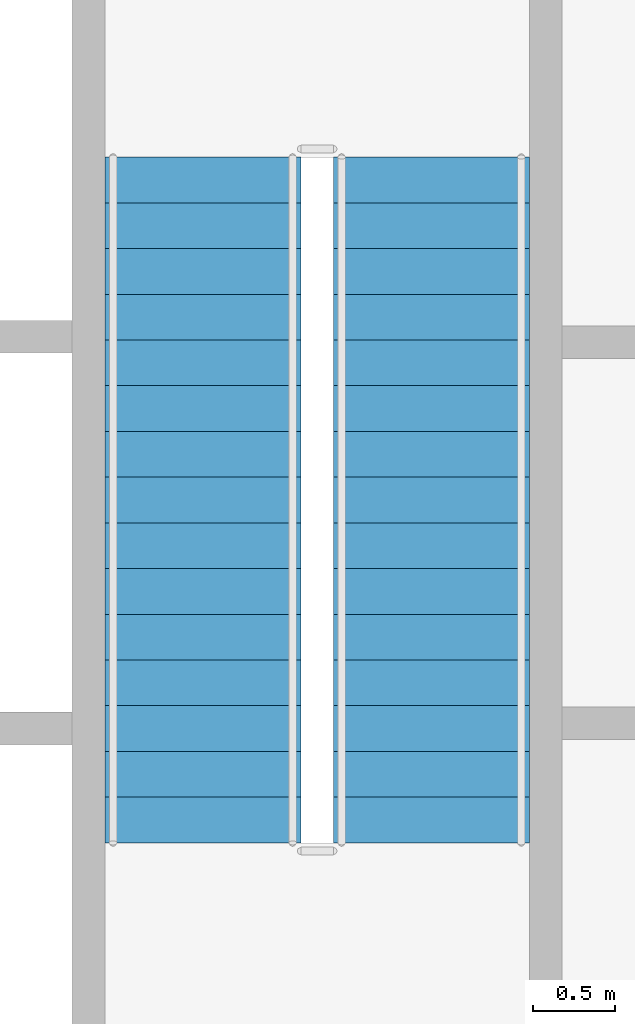
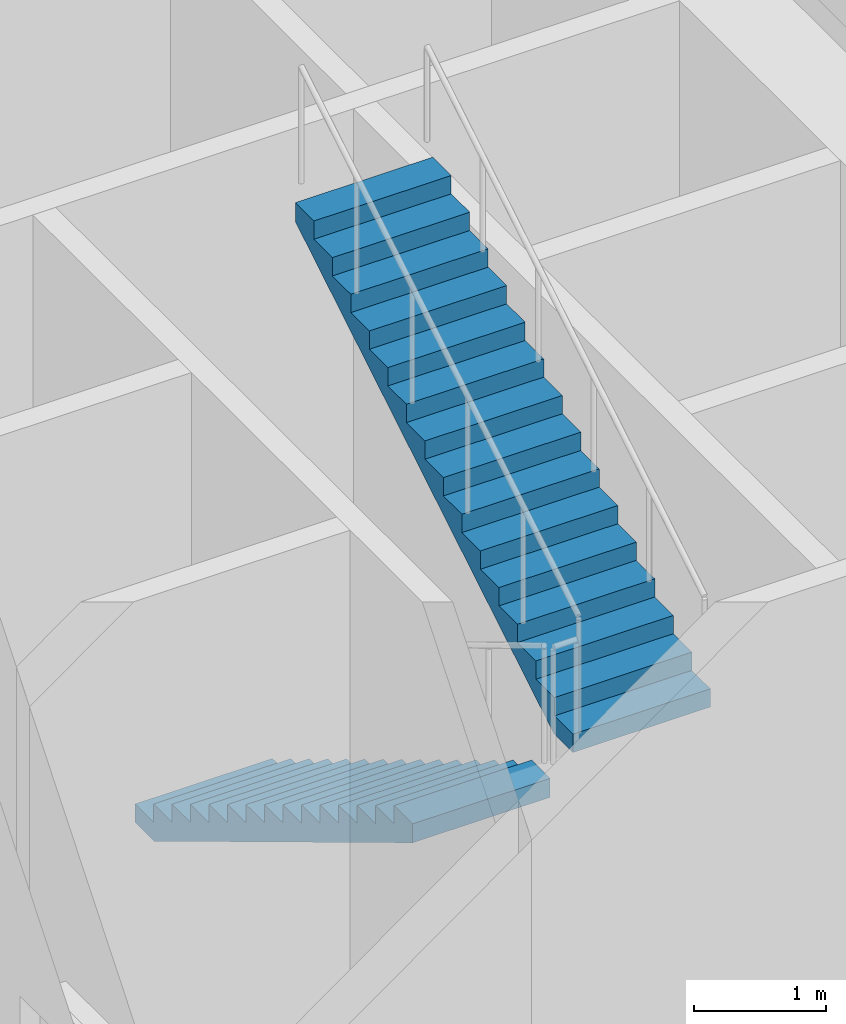
# One storey, part 19 of 28: 2 stair flights, 1 element without a shape of its own.
"""IFC4 building model written with IfcOpenShell, lengths in metres."""

import ifcopenshell
import ifcopenshell.guid

model = None  # the IFC model being written
_history = None  # IfcOwnerHistory: only IFC2X3 demands one
_inside = {}  # id of a spatial element -> (the spatial element, [elements in it])
_under = {}  # id of a project, library or spatial element -> (it, [spatial elements below it])
_declared = {}  # id of a project -> (the project, [libraries it declares])
_typed = {}  # id of a type object -> (the type object, [elements of that type])
_made_of = {}  # id of a material, layer set ... -> (it, [elements and type objects made of it])


def new_model(schema):
    """Start an empty IFC model of exactly this schema.

    Asked for "IFC4X3", IfcOpenShell would pick the latest addendum, in which some entities
    have other attributes; the version numbers below select the first issue.
    IFC2X3 requires an IfcOwnerHistory on every rooted entity: one is made here for all.
    """
    global model, _history
    if schema == "IFC4X3":
        model = ifcopenshell.file(schema_version=(4, 3, 0, 0))
    else:
        model = ifcopenshell.file(schema=schema)
    _inside.clear()
    _under.clear()
    _declared.clear()
    _typed.clear()
    _made_of.clear()
    _history = None
    if model.schema == "IFC2X3":
        org = make("IfcOrganization", Name="unknown")
        user = make(
            "IfcPersonAndOrganization",
            ThePerson=make("IfcPerson", FamilyName="unknown"),
            TheOrganization=org,
        )
        app = make(
            "IfcApplication",
            ApplicationDeveloper=org,
            Version="unknown",
            ApplicationFullName="unknown",
            ApplicationIdentifier="unknown",
        )
        _history = make(
            "IfcOwnerHistory",
            OwningUser=user,
            OwningApplication=app,
            ChangeAction="ADDED",
            CreationDate=0,
        )
    return model


def make(cls, **values):
    """One entity of the class cls with the attributes given. An attribute that is None is left unset."""
    return model.create_entity(
        cls, **{name: value for name, value in values.items() if value is not None}
    )


def rooted(cls, **values):
    """An entity with a GlobalId (a new one), such as an element, a storey or a relation."""
    return make(cls, GlobalId=ifcopenshell.guid.new(), OwnerHistory=_history, **values)


def si_unit(unit_type, name, prefix=None):
    """IfcSIUnit, for example si_unit("LENGTHUNIT", "METRE", prefix="MILLI")."""
    return make("IfcSIUnit", UnitType=unit_type, Prefix=prefix, Name=name)


def assignment(units):
    """IfcUnitAssignment: the units of a project."""
    return None if units is None else make("IfcUnitAssignment", Units=units)


def point(xyz):
    """IfcCartesianPoint."""
    return None if xyz is None else make("IfcCartesianPoint", Coordinates=xyz)


def direction(xyz):
    """IfcDirection."""
    return None if xyz is None else make("IfcDirection", DirectionRatios=xyz)


def frame(location, z_axis=None, x_axis=None):
    """IfcAxis2Placement3D, a coordinate frame: its origin and axes. An axis left out is left unset."""
    return make(
        "IfcAxis2Placement3D",
        Location=point(location),
        Axis=direction(z_axis),
        RefDirection=direction(x_axis),
    )


def origin():
    """The frame at (0, 0, 0) with its axes left unset."""
    return frame((0.0, 0.0, 0.0))


def place(relative_to, where):
    """IfcLocalPlacement: puts the frame where relative to a parent placement (None: the world)."""
    return make(
        "IfcLocalPlacement", PlacementRelTo=relative_to, RelativePlacement=where
    )


def context(
    kind, dimensions, precision=None, world=None, true_north=None, identifier=None
):
    """IfcGeometricRepresentationContext, for example the 3D "Model" context."""
    return make(
        "IfcGeometricRepresentationContext",
        ContextIdentifier=identifier,
        ContextType=kind,
        CoordinateSpaceDimension=dimensions,
        Precision=precision,
        WorldCoordinateSystem=world,
        TrueNorth=true_north,
    )


def subcontext(parent, identifier, kind, view, scale=None):
    """IfcGeometricRepresentationSubContext, for example "Body" below "Model"."""
    return make(
        "IfcGeometricRepresentationSubContext",
        ContextIdentifier=identifier,
        ContextType=kind,
        ParentContext=parent,
        TargetScale=scale,
        TargetView=view,
    )


def project(units=None, contexts=None):
    """IfcProject with its units and contexts."""
    return rooted(
        "IfcProject",
        Name="project",
        RepresentationContexts=contexts,
        UnitsInContext=assignment(units),
    )


def spatial(cls, under=None, at=None, **own):
    """A site, building, storey or space (cls), placed at a placement, below another one or the project."""
    s = rooted(cls, ObjectPlacement=at, **own)
    if under is not None:
        _under.setdefault(under.id(), (under, []))[1].append(s)
    return s


def polyline(points):
    """IfcPolyline through the points."""
    return make("IfcPolyline", Points=[point(p) for p in points])


def outline(outer, holes=None, kind="AREA"):
    """IfcArbitraryClosedProfileDef: a profile drawn as a closed curve; with holes, ...WithVoids."""
    if holes is None:
        return make("IfcArbitraryClosedProfileDef", ProfileType=kind, OuterCurve=outer)
    return make(
        "IfcArbitraryProfileDefWithVoids",
        ProfileType=kind,
        OuterCurve=outer,
        InnerCurves=holes,
    )


def extrude(swept, where, along, depth):
    """IfcExtrudedAreaSolid: the profile swept, set in the frame where, extruded along a direction by depth."""
    return make(
        "IfcExtrudedAreaSolid",
        SweptArea=swept,
        Position=where,
        ExtrudedDirection=direction(along),
        Depth=depth,
    )


def shape(context_of_items, identifier, shape_type, items):
    """IfcShapeRepresentation: the items that make up one representation, for example the "Body"."""
    return make(
        "IfcShapeRepresentation",
        ContextOfItems=context_of_items,
        RepresentationIdentifier=identifier,
        RepresentationType=shape_type,
        Items=items,
    )


def material(Name=None, Category=None):
    """IfcMaterial."""
    return make("IfcMaterial", Name=Name, Category=Category)


def made_of(thing, what):
    """Note that an element or type object is made of a material, layer set ...; save() writes the relation."""
    if what is not None:
        _made_of.setdefault(what.id(), (what, []))[1].append(thing)
    return thing


def type_object(cls, material=None, **own):
    """A type object (cls), such as IfcWallType, which elements share."""
    return made_of(rooted(cls, **own), material)


def element(
    cls,
    number,
    at=None,
    inside=None,
    cuts=None,
    type_object=None,
    material=None,
    context=None,
    identifier="Body",
    shape_type=None,
    held_by="IfcProductDefinitionShape",
    body=None,
    shapes=None,
    **own,
):
    """One element of the class cls, such as IfcWall. Its Tag is "e" and its number.

    at: its placement. inside: the storey or other place that contains it. cuts: it is an
    opening in that element (IfcRelVoidsElement). A single representation is given by context,
    identifier, shape_type and body (its items); several are given by shapes. held_by: the class
    of the entity that holds the representations. save() writes the other relations.
    """
    e = rooted(cls, Tag="e%d" % number, ObjectPlacement=at, **own)
    if body is not None:
        shapes = [shape(context, identifier, shape_type, body)]
    if shapes is not None:
        e.Representation = make(held_by, Representations=shapes)
    if inside is not None:
        _inside.setdefault(inside.id(), (inside, []))[1].append(e)
    if cuts is not None:
        rooted(
            "IfcRelVoidsElement", RelatingBuildingElement=cuts, RelatedOpeningElement=e
        )
    if type_object is not None:
        _typed.setdefault(type_object.id(), (type_object, []))[1].append(e)
    return made_of(e, material)


def aggregate(whole, parts):
    """IfcRelAggregates: a whole, such as a stair, and the parts it consists of."""
    return rooted("IfcRelAggregates", RelatingObject=whole, RelatedObjects=parts)


def save(model, path):
    """Write the relations noted so far, then the file.

    IfcRelAggregates (storeys below a building ...), IfcRelContainedInSpatialStructure (elements
    in a storey), IfcRelDefinesByType, IfcRelAssociatesMaterial and IfcRelDeclares: one each for
    every whole, place, type object, material and project.
    """
    for whole, parts in _under.values():
        aggregate(whole, parts)
    for where, things in _inside.values():
        rooted(
            "IfcRelContainedInSpatialStructure",
            RelatedElements=things,
            RelatingStructure=where,
        )
    for kind, things in _typed.values():
        rooted("IfcRelDefinesByType", RelatedObjects=things, RelatingType=kind)
    for what, things in _made_of.values():
        rooted("IfcRelAssociatesMaterial", RelatedObjects=things, RelatingMaterial=what)
    for by, libraries in _declared.values():
        rooted("IfcRelDeclares", RelatingContext=by, RelatedDefinitions=libraries)
    model.write(path)


model = new_model("IFC4")

# Units and contexts
model_context = context("Model", 3, precision=1e-05, world=origin(), true_north=direction((0.0, 1.0)))
body_context = subcontext(model_context, "Body", "Model", "MODEL_VIEW")
ifc_project = project(units=[si_unit("LENGTHUNIT", "METRE"), si_unit("AREAUNIT", "SQUARE_METRE"), si_unit("VOLUMEUNIT", "CUBIC_METRE"), si_unit("PLANEANGLEUNIT", "RADIAN"), si_unit("MASSUNIT", "GRAM", prefix="KILO")], contexts=[model_context])

# Site, building, storey
site_placement = place(None, origin())
site = spatial("IfcSite", under=ifc_project, at=site_placement, CompositionType="ELEMENT")
building_placement = place(site_placement, origin())
building = spatial("IfcBuilding", under=site, at=building_placement, Name="Kiln Ring Residences", CompositionType="ELEMENT")
storey_placement = place(building_placement, frame((0.0, 0.0, 178.10009765625)))
storey = spatial("IfcBuildingStorey", under=building, at=storey_placement, Name="L46", CompositionType="ELEMENT", Elevation=178.10009765625)

# Stair, stair flights
ifc_material_1 = material(Name="Concrete C40/50", Category="concrete")
stair_type = type_object("IfcStairType", Name="CORE-STAIR", PredefinedType="HALF_TURN_STAIR", material=ifc_material_1)
stair_placement = place(storey_placement, origin())
stair = element("IfcStair", 1, at=stair_placement, inside=storey, type_object=stair_type, Name="L46 stair E-STN", PredefinedType="HALF_TURN_STAIR")
ifc_material_2 = material(Name="Concrete C40/50", Category="concrete")
stair_flight_type = type_object("IfcStairFlightType", Name="CORE-STAIR-FLIGHT", PredefinedType="STRAIGHT", material=ifc_material_2)
stair_flight_1_placement = place(storey_placement, frame((21.39990234375, 8.39990234375, 0.0), z_axis=(0.0, 0.0, 1.0), x_axis=(0.0, -1.0, 0.0)))
stair_flight_1 = element("IfcStairFlight", 2, at=stair_flight_1_placement, type_object=stair_flight_type, Name="E-STN flight 1", NumberOfRisers=16, NumberOfTreads=15, PredefinedType="STRAIGHT", RiserHeight=0.16875, TreadLength=0.28, context=body_context, shape_type="SweptSolid", body=[
    extrude(outline(polyline([(0.0, 0.0), (0.0, 0.168701171875), (0.280029296875, 0.168701171875), (0.280029296875, 0.33740234375), (0.56005859375, 0.33740234375), (0.56005859375, 0.50634765625), (0.840087890625, 0.50634765625), (0.840087890625, 0.675048828125), (1.1201171875, 0.675048828125), (1.1201171875, 0.84375), (1.39990234375, 0.84375), (1.39990234375, 1.012451171875), (1.679931640625, 1.012451171875), (1.679931640625, 1.18115234375), (1.9599609375, 1.18115234375), (1.9599609375, 1.35009765625), (2.239990234375, 1.35009765625), (2.239990234375, 1.518798828125), (2.52001953125, 1.518798828125), (2.52001953125, 1.6875), (2.800048828125, 1.6875), (2.800048828125, 1.856201171875), (3.080078125, 1.856201171875), (3.080078125, 2.02490234375), (3.360107421875, 2.02490234375), (3.360107421875, 2.19384765625), (3.639892578125, 2.19384765625), (3.639892578125, 2.362548828125), (3.919921875, 2.362548828125), (3.919921875, 2.53125), (4.199951171875, 2.53125), (4.199951171875, 2.699951171875), (4.199951171875, 2.356201171875), (0.29052734375, 0.0), (0.0, 0.0)])), frame((0.0, 0.60009765625, 0.0), z_axis=(0.0, -1.0, 0.0), x_axis=(1.0, 0.0, 0.0)), (0.0, 0.0, 1.0), 1.199951171875),
])
stair_flight_2_placement = place(storey_placement, frame((22.800048828125, 4.199951171875, 2.699951171875), z_axis=(0.0, 0.0, 1.0), x_axis=(0.0, 1.0, 0.0)))
stair_flight_2 = element("IfcStairFlight", 3, at=stair_flight_2_placement, type_object=stair_flight_type, Name="E-STN flight 2", NumberOfRisers=16, NumberOfTreads=15, PredefinedType="STRAIGHT", RiserHeight=0.16875, TreadLength=0.28, context=body_context, shape_type="SweptSolid", body=[
    extrude(outline(polyline([(0.0, 0.0), (0.0, 0.168701171875), (0.280029296875, 0.168701171875), (0.280029296875, 0.33740234375), (0.56005859375, 0.33740234375), (0.56005859375, 0.50634765625), (0.840087890625, 0.50634765625), (0.840087890625, 0.675048828125), (1.1201171875, 0.675048828125), (1.1201171875, 0.84375), (1.39990234375, 0.84375), (1.39990234375, 1.012451171875), (1.679931640625, 1.012451171875), (1.679931640625, 1.18115234375), (1.9599609375, 1.18115234375), (1.9599609375, 1.35009765625), (2.239990234375, 1.35009765625), (2.239990234375, 1.518798828125), (2.52001953125, 1.518798828125), (2.52001953125, 1.6875), (2.800048828125, 1.6875), (2.800048828125, 1.856201171875), (3.080078125, 1.856201171875), (3.080078125, 2.02490234375), (3.360107421875, 2.02490234375), (3.360107421875, 2.19384765625), (3.639892578125, 2.19384765625), (3.639892578125, 2.362548828125), (3.919921875, 2.362548828125), (3.919921875, 2.53125), (4.199951171875, 2.53125), (4.199951171875, 2.699951171875), (4.199951171875, 2.356201171875), (0.29052734375, 0.0), (0.0, 0.0)])), frame((0.0, 0.60009765625, 0.0), z_axis=(0.0, -1.0, 0.0), x_axis=(1.0, 0.0, 0.0)), (0.0, 0.0, 1.0), 1.199951171875),
])
aggregate(stair, [stair_flight_1, stair_flight_2])

save(model, "model.ifc")
